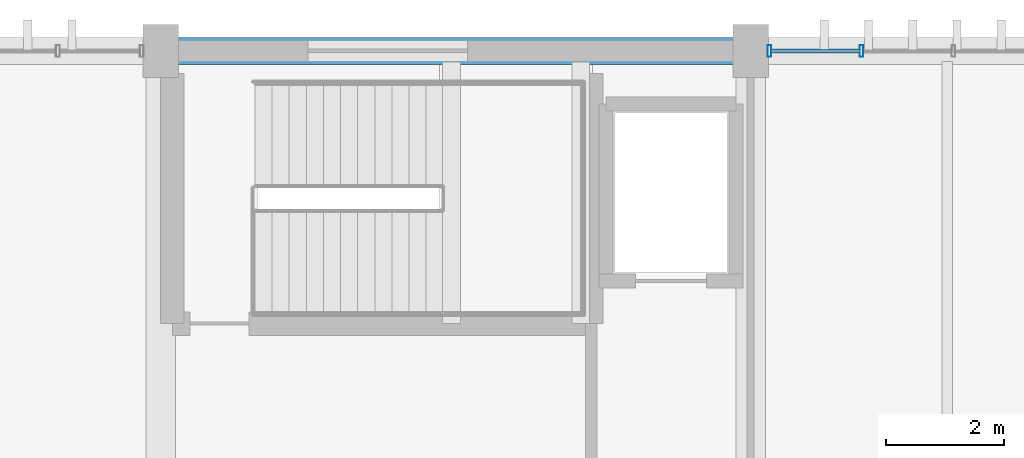
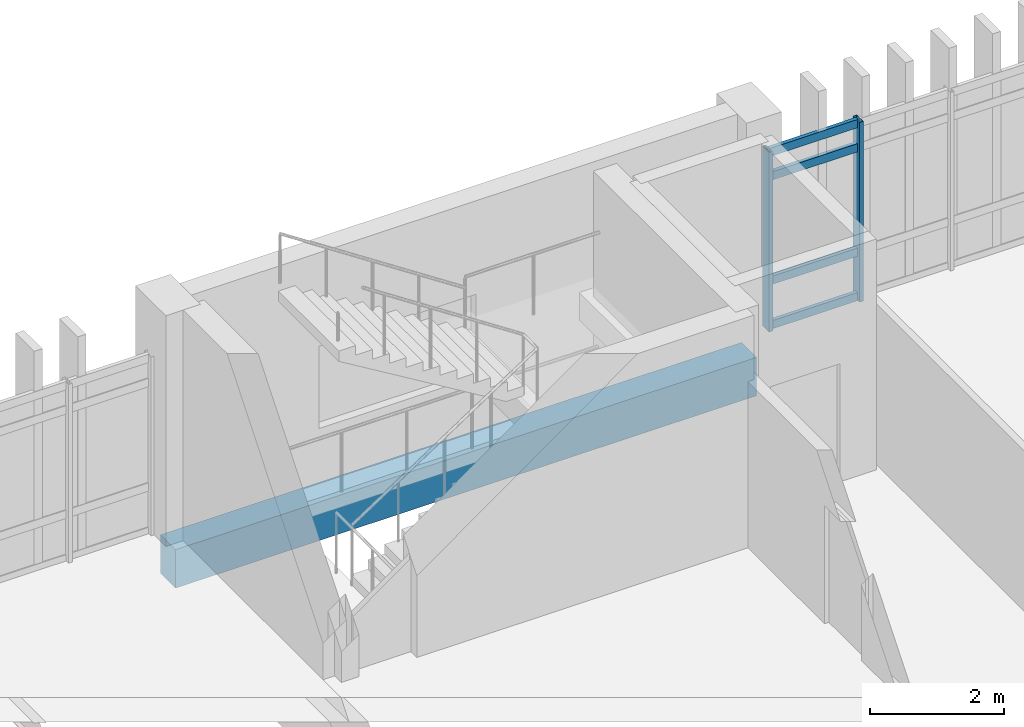
# One storey, part 92 of 161: 6 members, 1 beam, 1 element without a shape of its own.
"""IFC4 building model written with IfcOpenShell, lengths in metres."""

from ifc_helpers import new_model, si_unit, direction, frame, origin, origin_2d, place, context, subcontext, project, spatial, rectangle, hollow_rectangle, extrude, material, layer, layer_set, material_profile, profile_set, type_object, element, aggregate, save


model = new_model("IFC4")

# Units and contexts
model_context = context("Model", 3, precision=1e-05, world=origin(), true_north=direction((0.0, 1.0)))
body_context = subcontext(model_context, "Body", "Model", "MODEL_VIEW")
ifc_project = project(units=[si_unit("LENGTHUNIT", "METRE"), si_unit("AREAUNIT", "SQUARE_METRE"), si_unit("VOLUMEUNIT", "CUBIC_METRE"), si_unit("PLANEANGLEUNIT", "RADIAN"), si_unit("MASSUNIT", "GRAM", prefix="KILO")], contexts=[model_context])

# Site, building, storey
site_placement = place(None, origin())
site = spatial("IfcSite", under=ifc_project, at=site_placement, CompositionType="ELEMENT")
building_placement = place(site_placement, origin())
building = spatial("IfcBuilding", under=site, at=building_placement, Name="Mersad Railyard Sports Hall", CompositionType="ELEMENT")
storey_placement = place(building_placement, frame((0.0, 0.0, 4.800048828125)))
storey = spatial("IfcBuildingStorey", under=building, at=storey_placement, Name="L01", CompositionType="ELEMENT", Elevation=4.800048828125)

# Curtain wall, members
ifc_material_1 = material(Name="Aluminium 6063-T6", Category="aluminium")
ifc_layer = layer(ifc_material_1, 0.199951171875)
ifc_layer_set = layer_set([ifc_layer], Name="Aluminium 6063-T6")
curtain_wall_type = type_object("IfcCurtainWallType", Name="ARC-CW-CW35", PredefinedType="USERDEFINED", material=ifc_layer_set)
curtain_wall_placement = place(storey_placement, origin())
curtain_wall = element("IfcCurtainWall", 1, at=curtain_wall_placement, inside=storey, type_object=curtain_wall_type, Name="Curtain wall CW35-0098", ObjectType="CURTAIN WALL", PredefinedType="USERDEFINED")
ifc_material_profile_1 = material_profile(ifc_material_1, hollow_rectangle(XDim=0.06494140625, YDim=0.199951171875, WallThickness=0.0048828125, at=origin_2d()), Name="AL MULLION 65x200x5")
ifc_profile_set_1 = profile_set([ifc_material_profile_1], Name="Aluminium 6063-T6")
member_type_1 = type_object("IfcMemberType", Name="ARC-CW-MUL02", PredefinedType="MULLION", material=ifc_profile_set_1)
member_1_placement = place(storey_placement, frame((101.320068359375, 115.0, -0.02001953125), z_axis=(0.0, 0.0, 1.0), x_axis=(1.0, 0.0, 0.0)))
member_1 = element("IfcMember", 2, at=member_1_placement, type_object=member_type_1, Name="CW35 Mullion 1", PredefinedType="MULLION", context=body_context, shape_type="SweptSolid", body=[
    extrude(hollow_rectangle(XDim=0.06494140625, YDim=0.199951171875, WallThickness=0.0048828125, at=origin_2d()), origin(), (0.0, 0.0, 1.0), 3.27001953125),
])
member_2_placement = place(storey_placement, frame((102.8798828125, 115.0, -0.02001953125), z_axis=(0.0, 0.0, 1.0), x_axis=(1.0, 0.0, 0.0)))
member_2 = element("IfcMember", 3, at=member_2_placement, type_object=member_type_1, Name="CW35 Mullion 2", PredefinedType="MULLION", context=body_context, shape_type="SweptSolid", body=[
    extrude(hollow_rectangle(XDim=0.06494140625, YDim=0.199951171875, WallThickness=0.0048828125, at=origin_2d()), origin(), (0.0, 0.0, 1.0), 3.27001953125),
])
ifc_material_profile_2 = material_profile(ifc_material_1, hollow_rectangle(XDim=0.06494140625, YDim=0.14990234375, WallThickness=0.00439453125, at=origin_2d()), Name="AL TRANSOM 65x150x4.5")
ifc_profile_set_2 = profile_set([ifc_material_profile_2], Name="Aluminium 6063-T6")
member_type_2 = type_object("IfcMemberType", Name="ARC-CW-TRN02", PredefinedType="USERDEFINED", material=ifc_profile_set_2)
member_3_placement = place(storey_placement, frame((101.340087890625, 115.0, 0.0400390625), z_axis=(1.0, 0.0, 0.0), x_axis=(0.0, 1.0, 0.0)))
member_3 = element("IfcMember", 4, at=member_3_placement, type_object=member_type_2, Name="CW35 Transom 1-1", ObjectType="TRANSOM", PredefinedType="USERDEFINED", context=body_context, shape_type="SweptSolid", body=[
    extrude(hollow_rectangle(XDim=0.06494140625, YDim=0.14990234375, WallThickness=0.00439453125, at=origin_2d()), origin(), (0.0, 0.0, 1.0), 1.52001953125),
])
member_4_placement = place(storey_placement, frame((101.340087890625, 115.0, 0.849853515625), z_axis=(1.0, 0.0, 0.0), x_axis=(0.0, 1.0, 0.0)))
member_4 = element("IfcMember", 5, at=member_4_placement, type_object=member_type_2, Name="CW35 Transom 2-1", ObjectType="TRANSOM", PredefinedType="USERDEFINED", context=body_context, shape_type="SweptSolid", body=[
    extrude(hollow_rectangle(XDim=0.06494140625, YDim=0.14990234375, WallThickness=0.00439453125, at=origin_2d()), origin(), (0.0, 0.0, 1.0), 1.52001953125),
])
member_5_placement = place(storey_placement, frame((101.340087890625, 115.0, 2.75), z_axis=(1.0, 0.0, 0.0), x_axis=(0.0, 1.0, 0.0)))
member_5 = element("IfcMember", 6, at=member_5_placement, type_object=member_type_2, Name="CW35 Transom 3-1", ObjectType="TRANSOM", PredefinedType="USERDEFINED", context=body_context, shape_type="SweptSolid", body=[
    extrude(hollow_rectangle(XDim=0.06494140625, YDim=0.14990234375, WallThickness=0.00439453125, at=origin_2d()), origin(), (0.0, 0.0, 1.0), 1.52001953125),
])
member_6_placement = place(storey_placement, frame((101.340087890625, 115.0, 3.18994140625), z_axis=(1.0, 0.0, 0.0), x_axis=(0.0, 1.0, 0.0)))
member_6 = element("IfcMember", 7, at=member_6_placement, type_object=member_type_2, Name="CW35 Transom 4-1", ObjectType="TRANSOM", PredefinedType="USERDEFINED", context=body_context, shape_type="SweptSolid", body=[
    extrude(hollow_rectangle(XDim=0.06494140625, YDim=0.14990234375, WallThickness=0.00439453125, at=origin_2d()), origin(), (0.0, 0.0, 1.0), 1.52001953125),
])
aggregate(curtain_wall, [member_1, member_2, member_3, member_4, member_5, member_6])

# Beam
ifc_material_2 = material(Name="Architectural concrete C40/50", Category="concrete")
ifc_material_profile_3 = material_profile(ifc_material_2, rectangle(XDim=0.449951171875, YDim=0.699951171875, at=origin_2d()), Name="RC 450x700")
ifc_profile_set_3 = profile_set([ifc_material_profile_3], Name="Architectural concrete C40/50")
beam_type = type_object("IfcBeamType", Name="STR-BM-SP01", PredefinedType="SPANDREL", material=ifc_profile_set_3)
beam_placement = place(storey_placement, frame((91.0, 115.0, -0.650146484375), z_axis=(1.0, 0.0, 0.0), x_axis=(0.0, 1.0, 0.0)))
element("IfcBeam", 8, at=beam_placement, inside=storey, type_object=beam_type, Name="Beam SP01-0952", PredefinedType="SPANDREL", context=body_context, shape_type="SweptSolid", body=[
    extrude(rectangle(XDim=0.449951171875, YDim=0.699951171875, at=origin_2d()), origin(), (0.0, 0.0, 1.0), 10.0),
])

save(model, "model.ifc")
